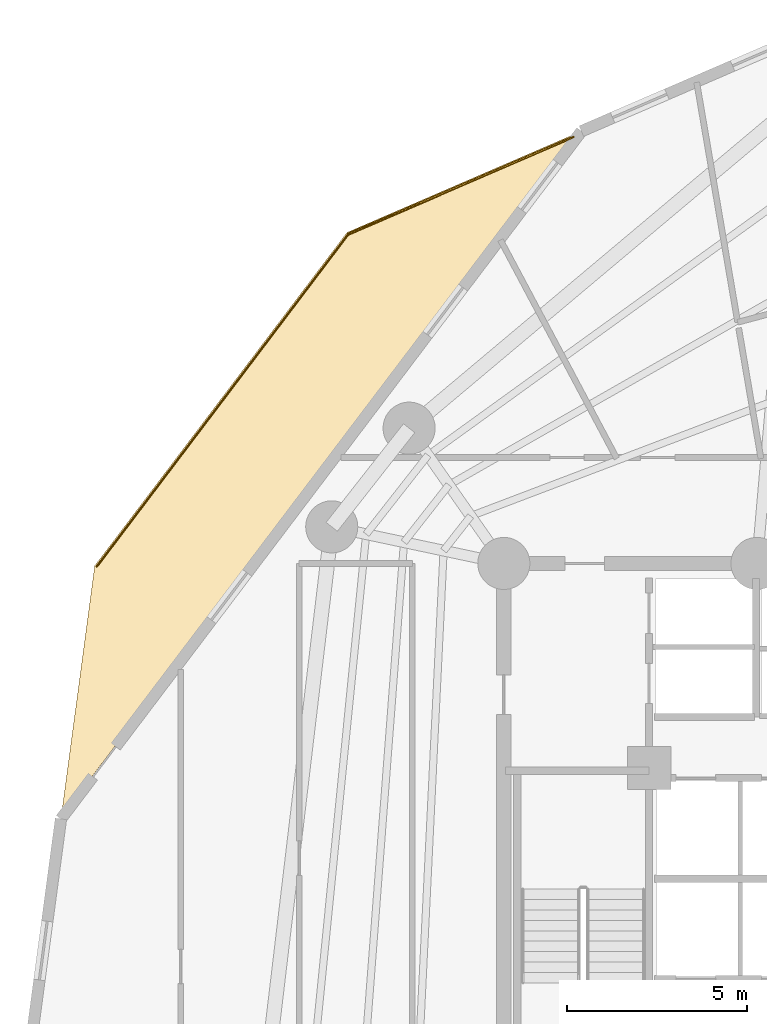
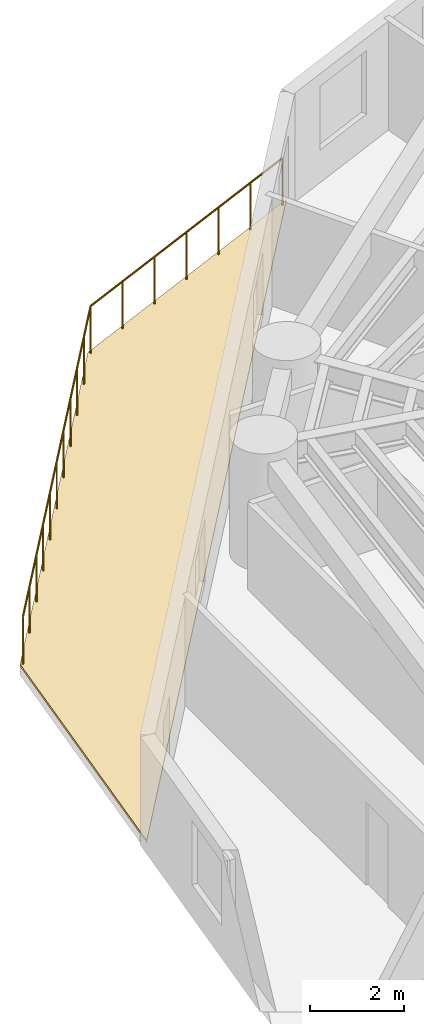
# One storey, part 9 of 9: 2 railings, 1 covering.
"""IFC4 building model written with IfcOpenShell, lengths in metres."""

from ifc_helpers import new_model, si_unit, direction, frame, origin, origin_2d, place, context, subcontext, project, spatial, polyline, circle, outline, extrude, material, layer, layer_set, type_object, element, save


model = new_model("IFC4")

# Units and contexts
model_context = context("Model", 3, precision=1e-05, world=origin(), true_north=direction((0.0, 1.0)))
body_context = subcontext(model_context, "Body", "Model", "MODEL_VIEW")
ifc_project = project(units=[si_unit("LENGTHUNIT", "METRE"), si_unit("AREAUNIT", "SQUARE_METRE"), si_unit("VOLUMEUNIT", "CUBIC_METRE"), si_unit("PLANEANGLEUNIT", "RADIAN"), si_unit("MASSUNIT", "GRAM", prefix="KILO")], contexts=[model_context])

# Site, building, storey
site_placement = place(None, origin())
site = spatial("IfcSite", under=ifc_project, at=site_placement, CompositionType="ELEMENT")
building_placement = place(site_placement, origin())
building = spatial("IfcBuilding", under=site, at=building_placement, Name="Karkom Vertical University and Central Library", CompositionType="ELEMENT")
storey_placement = place(building_placement, frame((0.0, 0.0, 96.199951171875)))
storey = spatial("IfcBuildingStorey", under=building, at=storey_placement, Name="L25", CompositionType="ELEMENT", Elevation=96.199951171875)

# Covering
ifc_material_1 = material(Name="EPDM membrane with Kota stone ballast roofing", Category="masonry")
ifc_layer_1 = layer(ifc_material_1, 0.080078125)
ifc_layer_set_1 = layer_set([ifc_layer_1], Name="EPDM membrane with Kota stone ballast roofing")
covering_type = type_object("IfcCoveringType", Name="ENV-COV-ROOF", PredefinedType="ROOFING", material=ifc_layer_set_1)
covering_placement = place(storey_placement, origin())
element("IfcCovering", 1, at=covering_placement, inside=storey, type_object=covering_type, Name="Level 25 Spiral Sky Garden Waterproofing Covering", PredefinedType="ROOFING", context=body_context, shape_type="SweptSolid", body=[
    extrude(outline(polyline([(8.105712890625, 34.635986328125), (15.130615234375, 43.917724609375), (21.623046875, 46.723388671875), (7.1689453125, 27.62548828125), (8.105712890625, 34.635986328125)])), origin(), (0.0, 0.0, 1.0), 0.06005859375),
])

# Railings
ifc_material_2 = material(Name="Architectural painted steel & laminated glass balustrade", Category="steel")
ifc_layer_2 = layer(ifc_material_2, 0.090087890625)
ifc_layer_set_2 = layer_set([ifc_layer_2], Name="Architectural painted steel & laminated glass balustrade")
railing_type = type_object("IfcRailingType", Name="ENV-RL-BAL1300", PredefinedType="BALUSTRADE", material=ifc_layer_set_2)
railing_1_placement = place(storey_placement, frame((8.1630859375, 34.612548828125, 0.0)))
element("IfcRailing", 2, at=railing_1_placement, inside=storey, type_object=railing_type, Name="Level 25 Planted Terrace Safety Balustrade 01", PredefinedType="BALUSTRADE", context=body_context, shape_type="SweptSolid", body=[
    extrude(circle(Radius=0.02392578125, at=origin_2d()), frame((0.0, 0.0, 1.27587890625), z_axis=(0.603487124654, 0.797372742434, 0.0), x_axis=(-0.797372742434, 0.603487124654, 0.0)), (0.0, 0.0, 1.0), 11.608642578125),
    extrude(circle(Radius=0.02099609375, at=origin_2d()), origin(), (0.0, 0.0, 1.0), 1.251953125),
    extrude(circle(Radius=0.02099609375, at=origin_2d()), frame((0.70068359375, 0.925537109375, 0.0)), (0.0, 0.0, 1.0), 1.251953125),
    extrude(circle(Radius=0.02099609375, at=origin_2d()), frame((1.401123046875, 1.851318359375, 0.0)), (0.0, 0.0, 1.0), 1.251953125),
    extrude(circle(Radius=0.02099609375, at=origin_2d()), frame((2.1015625, 2.77685546875, 0.0)), (0.0, 0.0, 1.0), 1.251953125),
    extrude(circle(Radius=0.02099609375, at=origin_2d()), frame((2.80224609375, 3.70263671875, 0.0)), (0.0, 0.0, 1.0), 1.251953125),
    extrude(circle(Radius=0.02099609375, at=origin_2d()), frame((3.5029296875, 4.628173828125, 0.0)), (0.0, 0.0, 1.0), 1.251953125),
    extrude(circle(Radius=0.02099609375, at=origin_2d()), frame((4.203369140625, 5.5537109375, 0.0)), (0.0, 0.0, 1.0), 1.251953125),
    extrude(circle(Radius=0.02099609375, at=origin_2d()), frame((4.90380859375, 6.4794921875, 0.0)), (0.0, 0.0, 1.0), 1.251953125),
    extrude(circle(Radius=0.02099609375, at=origin_2d()), frame((5.6044921875, 7.405029296875, 0.0)), (0.0, 0.0, 1.0), 1.251953125),
    extrude(circle(Radius=0.02099609375, at=origin_2d()), frame((6.30517578125, 8.330810546875, 0.0)), (0.0, 0.0, 1.0), 1.251953125),
    extrude(circle(Radius=0.02099609375, at=origin_2d()), frame((7.005615234375, 9.25634765625, 0.0)), (0.0, 0.0, 1.0), 1.251953125),
])
railing_2_placement = place(storey_placement, frame((15.168701171875, 43.868896484375, 0.0)))
element("IfcRailing", 3, at=railing_2_placement, inside=storey, type_object=railing_type, Name="Level 25 Planted Terrace Safety Balustrade 02", PredefinedType="BALUSTRADE", context=body_context, shape_type="SweptSolid", body=[
    extrude(circle(Radius=0.02392578125, at=origin_2d()), frame((0.0, 0.0, 1.27587890625), z_axis=(0.917961193238, 0.396670200178, 0.0), x_axis=(-0.396670200178, 0.917961193238, 0.0)), (0.0, 0.0, 1.0), 6.829345703125),
    extrude(circle(Radius=0.02099609375, at=origin_2d()), origin(), (0.0, 0.0, 1.0), 1.251953125),
    extrude(circle(Radius=0.02099609375, at=origin_2d()), frame((1.044921875, 0.451416015625, 0.0)), (0.0, 0.0, 1.0), 1.251953125),
    extrude(circle(Radius=0.02099609375, at=origin_2d()), frame((2.089599609375, 0.903076171875, 0.0)), (0.0, 0.0, 1.0), 1.251953125),
    extrude(circle(Radius=0.02099609375, at=origin_2d()), frame((3.134521484375, 1.3544921875, 0.0)), (0.0, 0.0, 1.0), 1.251953125),
    extrude(circle(Radius=0.02099609375, at=origin_2d()), frame((4.179443359375, 1.805908203125, 0.0)), (0.0, 0.0, 1.0), 1.251953125),
    extrude(circle(Radius=0.02099609375, at=origin_2d()), frame((5.22412109375, 2.257568359375, 0.0)), (0.0, 0.0, 1.0), 1.251953125),
    extrude(circle(Radius=0.02099609375, at=origin_2d()), frame((6.26904296875, 2.708984375, 0.0)), (0.0, 0.0, 1.0), 1.251953125),
])

save(model, "model.ifc")
